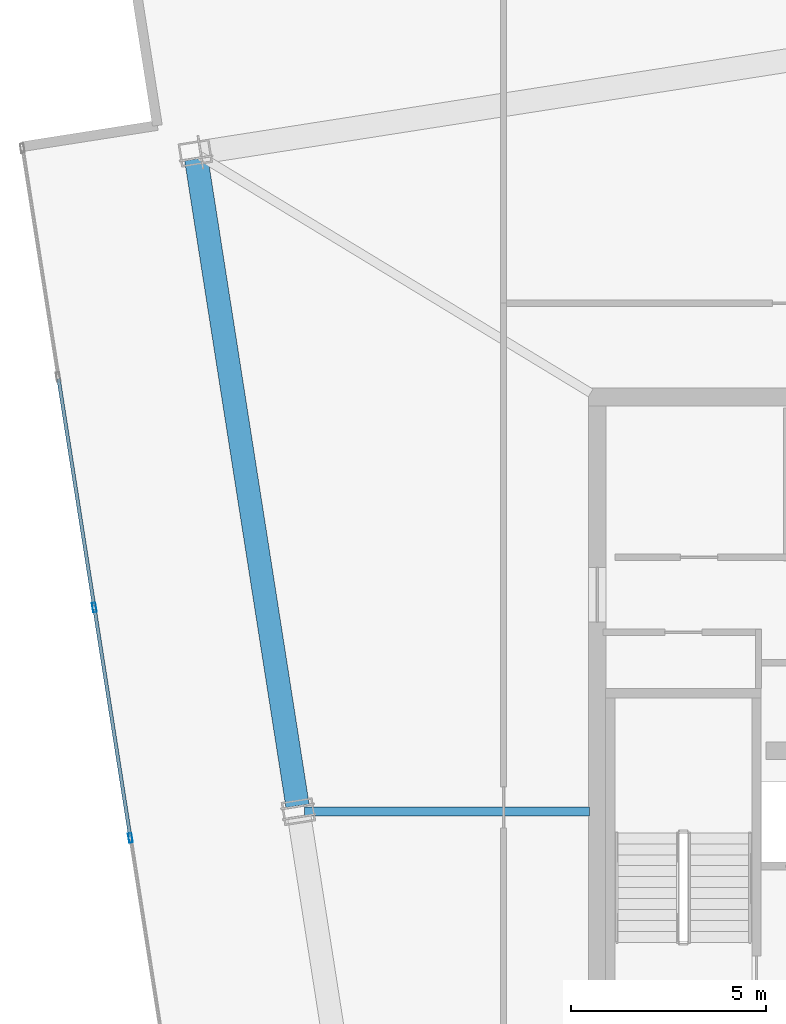
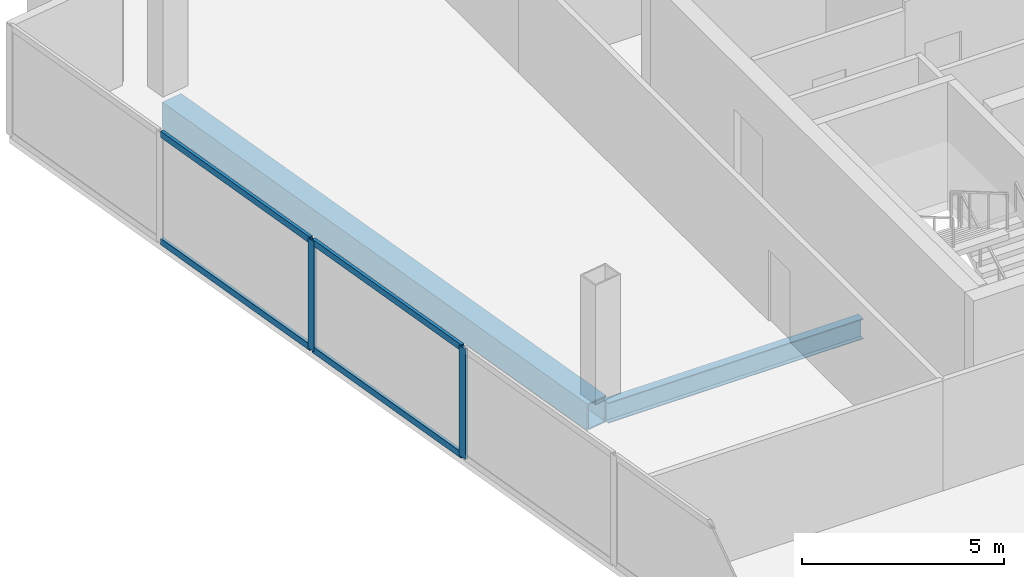
# One storey, part 5 of 17: 6 members, 2 beams, 1 element without a shape of its own.
"""IFC4 building model written with IfcOpenShell, lengths in metres."""

from ifc_helpers import new_model, si_unit, direction, frame, origin, origin_2d, place, context, subcontext, project, spatial, hollow_rectangle, i_section, extrude, material, material_profile, profile_set, type_object, element, aggregate, save


model = new_model("IFC4")

# Units and contexts
model_context = context("Model", 3, precision=1e-05, world=origin(), true_north=direction((0.0, 1.0)))
body_context = subcontext(model_context, "Body", "Model", "MODEL_VIEW")
ifc_project = project(units=[si_unit("LENGTHUNIT", "METRE"), si_unit("AREAUNIT", "SQUARE_METRE"), si_unit("VOLUMEUNIT", "CUBIC_METRE"), si_unit("PLANEANGLEUNIT", "RADIAN"), si_unit("MASSUNIT", "GRAM", prefix="KILO")], contexts=[model_context])

# Site, building, storey
site_placement = place(None, origin())
site = spatial("IfcSite", under=ifc_project, at=site_placement, CompositionType="ELEMENT")
building_placement = place(site_placement, origin())
building = spatial("IfcBuilding", under=site, at=building_placement, Name="Haldenkirk Collegiate Tower", CompositionType="ELEMENT")
storey_placement = place(building_placement, frame((0.0, 0.0, 367.800048828125)))
storey = spatial("IfcBuildingStorey", under=building, at=storey_placement, Name="L93", CompositionType="ELEMENT", Elevation=367.800048828125)

# Beams
ifc_material_1 = material(Name="Steel ASTM A992 Grade 50", Category="steel")
ifc_material_profile_1 = material_profile(ifc_material_1, i_section(OverallWidth=0.22998046875, OverallDepth=0.616943359375, WebThickness=0.01318359375, FlangeThickness=0.022216796875, at=origin_2d()), Name="W24X94")
ifc_profile_set_1 = profile_set([ifc_material_profile_1], Name="Steel ASTM A992 Grade 50")
beam_type_1 = type_object("IfcBeamType", Name="BM-GIRDER-W24X94", PredefinedType="BEAM", material=ifc_profile_set_1)
beam_1_placement = place(storey_placement, frame((19.5029296875, 23.39306640625, -0.57861328125), z_axis=(1.0, 0.0, 0.0), x_axis=(0.0, 1.0, 0.0)))
element("IfcBeam", 1, at=beam_1_placement, inside=storey, type_object=beam_type_1, Name="L93 crown radial floor beam 6", PredefinedType="BEAM", context=body_context, shape_type="SweptSolid", body=[
    extrude(i_section(OverallWidth=0.22998046875, OverallDepth=0.616943359375, WebThickness=0.01318359375, FlangeThickness=0.022216796875, at=origin_2d()), origin(), (0.0, 0.0, 1.0), 7.297119140625),
])
ifc_material_2 = material(Name="Steel ASTM A572 Grade 50", Category="steel")
ifc_material_profile_2 = material_profile(ifc_material_2, hollow_rectangle(XDim=0.60009765625, YDim=0.800048828125, WallThickness=0.0400390625, at=origin_2d()), Name="BOX800X600X40")
ifc_profile_set_2 = profile_set([ifc_material_profile_2], Name="Steel ASTM A572 Grade 50")
beam_type_2 = type_object("IfcBeamType", Name="BM-SPANDREL-BOX800X600X40", PredefinedType="SPANDREL", material=ifc_profile_set_2)
beam_2_placement = place(storey_placement, frame((16.73828125, 40.089599609375, -0.670166015625), z_axis=(0.154705009471, -0.987960707743, 0.0), x_axis=(0.987960707743, 0.154705009471, 0.0)))
element("IfcBeam", 2, at=beam_2_placement, inside=storey, type_object=beam_type_2, Name="L93 Crown Ring Frame perimeter girder 5", PredefinedType="SPANDREL", context=body_context, shape_type="SweptSolid", body=[
    extrude(hollow_rectangle(XDim=0.60009765625, YDim=0.800048828125, WallThickness=0.0400390625, at=origin_2d()), origin(), (0.0, 0.0, 1.0), 16.75),
])

# Curtain wall, members
ifc_material_3 = material(Name="Anodised architectural bronze aluminium", Category="aluminium")
curtain_wall_type = type_object("IfcCurtainWallType", Name="CW-SYS6-CROWN", PredefinedType="USERDEFINED", material=ifc_material_3)
curtain_wall_placement = place(storey_placement, origin())
curtain_wall = element("IfcCurtainWall", 3, at=curtain_wall_placement, inside=storey, type_object=curtain_wall_type, Name="L93 Closed crown ring ceramic-fritted bronze screen curtain wall", ObjectType="UNITISED CURTAIN WALL", PredefinedType="USERDEFINED")
ifc_material_profile_3 = material_profile(ifc_material_3, hollow_rectangle(XDim=0.090087890625, YDim=0.239990234375, WallThickness=0.0048828125, at=origin_2d()), Name="CW-MUL-06")
ifc_profile_set_3 = profile_set([ifc_material_profile_3], Name="Anodised architectural bronze aluminium")
member_type_1 = type_object("IfcMemberType", Name="CW-MUL-06", PredefinedType="MULLION", material=ifc_profile_set_3)
member_1_placement = place(storey_placement, frame((15.05517578125, 22.72021484375, 0.0), z_axis=(0.0, 0.0, 1.0), x_axis=(-0.987959532462, -0.154712514742, 0.0)))
member_1 = element("IfcMember", 4, at=member_1_placement, type_object=member_type_1, Name="CW-06 mullion 4", PredefinedType="MULLION", context=body_context, shape_type="SweptSolid", body=[
    extrude(hollow_rectangle(XDim=0.090087890625, YDim=0.239990234375, WallThickness=0.0048828125, at=origin_2d()), origin(), (0.0, 0.0, 1.0), 3.329833984375),
])
member_2_placement = place(storey_placement, frame((14.132080078125, 28.614990234375, 0.0), z_axis=(0.0, 0.0, 1.0), x_axis=(-0.987959532462, -0.154712514742, 0.0)))
member_2 = element("IfcMember", 5, at=member_2_placement, type_object=member_type_1, Name="CW-06 mullion 5", PredefinedType="MULLION", context=body_context, shape_type="SweptSolid", body=[
    extrude(hollow_rectangle(XDim=0.090087890625, YDim=0.239990234375, WallThickness=0.0048828125, at=origin_2d()), origin(), (0.0, 0.0, 1.0), 3.329833984375),
])
ifc_material_profile_4 = material_profile(ifc_material_3, hollow_rectangle(XDim=0.090087890625, YDim=0.18994140625, WallThickness=0.0048828125, at=origin_2d()), Name="CW-TRN-06")
ifc_profile_set_4 = profile_set([ifc_material_profile_4], Name="Anodised architectural bronze aluminium")
member_type_2 = type_object("IfcMemberType", Name="CW-TRN-06", PredefinedType="USERDEFINED", material=ifc_profile_set_4)
member_3_placement = place(storey_placement, frame((15.04833984375, 22.7646484375, 0.044921875), z_axis=(-0.154710174658, 0.987959898912, 0.0), x_axis=(-0.987959898912, -0.154710174658, 0.0)))
member_3 = element("IfcMember", 6, at=member_3_placement, type_object=member_type_2, Name="CW-06 transom 4.1", ObjectType="TRANSOM", PredefinedType="USERDEFINED", context=body_context, shape_type="SweptSolid", body=[
    extrude(hollow_rectangle(XDim=0.090087890625, YDim=0.18994140625, WallThickness=0.0048828125, at=origin_2d()), origin(), (0.0, 0.0, 1.0), 5.876708984375),
])
member_4_placement = place(storey_placement, frame((15.04833984375, 22.7646484375, 3.284912109375), z_axis=(-0.154710174658, 0.987959898912, 0.0), x_axis=(-0.987959898912, -0.154710174658, 0.0)))
member_4 = element("IfcMember", 7, at=member_4_placement, type_object=member_type_2, Name="CW-06 transom 4.2", ObjectType="TRANSOM", PredefinedType="USERDEFINED", context=body_context, shape_type="SweptSolid", body=[
    extrude(hollow_rectangle(XDim=0.090087890625, YDim=0.18994140625, WallThickness=0.0048828125, at=origin_2d()), origin(), (0.0, 0.0, 1.0), 5.876708984375),
])
member_5_placement = place(storey_placement, frame((14.125244140625, 28.659423828125, 0.044921875), z_axis=(-0.154710174658, 0.987959898912, 0.0), x_axis=(-0.987959898912, -0.154710174658, 0.0)))
member_5 = element("IfcMember", 8, at=member_5_placement, type_object=member_type_2, Name="CW-06 transom 5.1", ObjectType="TRANSOM", PredefinedType="USERDEFINED", context=body_context, shape_type="SweptSolid", body=[
    extrude(hollow_rectangle(XDim=0.090087890625, YDim=0.18994140625, WallThickness=0.0048828125, at=origin_2d()), origin(), (0.0, 0.0, 1.0), 5.876708984375),
])
member_6_placement = place(storey_placement, frame((14.125244140625, 28.659423828125, 3.284912109375), z_axis=(-0.154710174658, 0.987959898912, 0.0), x_axis=(-0.987959898912, -0.154710174658, 0.0)))
member_6 = element("IfcMember", 9, at=member_6_placement, type_object=member_type_2, Name="CW-06 transom 5.2", ObjectType="TRANSOM", PredefinedType="USERDEFINED", context=body_context, shape_type="SweptSolid", body=[
    extrude(hollow_rectangle(XDim=0.090087890625, YDim=0.18994140625, WallThickness=0.0048828125, at=origin_2d()), origin(), (0.0, 0.0, 1.0), 5.876708984375),
])
aggregate(curtain_wall, [member_1, member_2, member_3, member_4, member_5, member_6])

save(model, "model.ifc")
